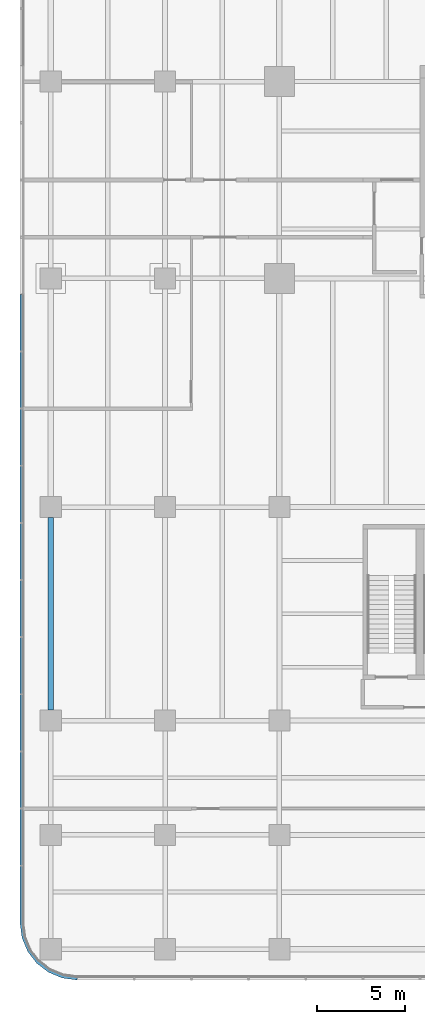
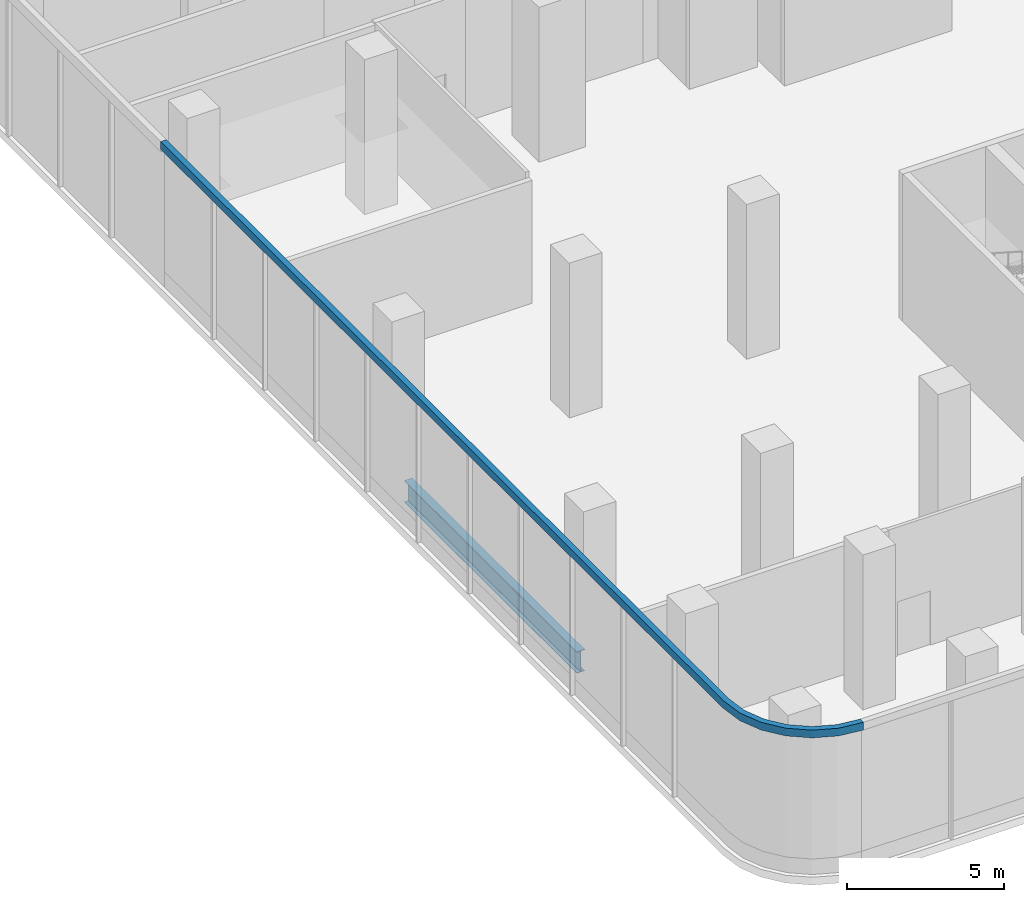
# One storey, part 5 of 41: 1 beam, 1 member, 1 element without a shape of its own.
"""IFC4 building model written with IfcOpenShell, lengths in metres."""

from ifc_helpers import new_model, si_unit, direction, frame, origin, origin_2d, place, context, subcontext, project, spatial, polyline, i_section, outline, extrude, source, transform, mapped, material, layer, layer_set, material_profile, profile_set, type_object, element, aggregate, save


model = new_model("IFC4")

# Units and contexts
model_context = context("Model", 3, precision=1e-05, world=origin(), true_north=direction((0.0, 1.0)))
body_context = subcontext(model_context, "Body", "Model", "MODEL_VIEW")
ifc_project = project(units=[si_unit("LENGTHUNIT", "METRE"), si_unit("AREAUNIT", "SQUARE_METRE"), si_unit("VOLUMEUNIT", "CUBIC_METRE"), si_unit("PLANEANGLEUNIT", "RADIAN"), si_unit("MASSUNIT", "GRAM", prefix="KILO")], contexts=[model_context])

# Site, building, storey
site_placement = place(None, origin())
site = spatial("IfcSite", under=ifc_project, at=site_placement, CompositionType="ELEMENT")
building_placement = place(site_placement, origin())
building = spatial("IfcBuilding", under=site, at=building_placement, Name="Trellis Farm Tower", CompositionType="ELEMENT")
storey_placement = place(building_placement, frame((0.0, 0.0, 8.0)))
storey = spatial("IfcBuildingStorey", under=building, at=storey_placement, Name="L01", CompositionType="ELEMENT", Elevation=8.0)

# Curtain wall, member
ifc_material_1 = material(Name="Aluminium and glass curtain wall", Category="aluminium")
ifc_layer_1 = layer(ifc_material_1, 0.201904296875)
ifc_layer_set_1 = layer_set([ifc_layer_1], Name="SHOPFRONT CURTAIN WALL CW2")
curtain_wall_type = type_object("IfcCurtainWallType", Name="SHOPFRONT CURTAIN WALL CW2", PredefinedType="NOTDEFINED", material=ifc_layer_set_1)
curtain_wall_placement = place(storey_placement, origin())
curtain_wall = element("IfcCurtainWall", 1, at=curtain_wall_placement, inside=storey, type_object=curtain_wall_type, Name="CW2 006", PredefinedType="NOTDEFINED")
ifc_material_2 = material(Name="Aluminium extrusion 6063-T6", Category="aluminium")
ifc_layer_2 = layer(ifc_material_2, 0.205078125)
ifc_layer_set_2 = layer_set([ifc_layer_2], Name="Aluminium extrusion 6063-T6")
member_type = type_object("IfcMemberType", Name="CW2 TRANSOM 205x300", PredefinedType="USERDEFINED", material=ifc_layer_set_2)
member_placement = place(storey_placement, frame((0.0, 0.0, 5.39990234375)))
member = element("IfcMember", 2, at=member_placement, type_object=member_type, Name="TR2 006", ObjectType="TRANSOM", PredefinedType="USERDEFINED", context=body_context, shape_type="SweptSolid", body=[
    extrude(outline(polyline([(-45.5, -6.5), (-45.5, -42.25), (-45.38916015625, -43.091064453125), (-45.064697265625, -43.875), (-44.548095703125, -44.548095703125), (-43.875, -45.064697265625), (-43.091064453125, -45.38916015625), (-42.25, -45.5), (-42.236572265625, -45.294921875), (-43.03759765625, -45.189453125), (-43.771728515625, -44.885498046875), (-44.40185546875, -44.40185546875), (-44.885498046875, -43.771728515625), (-45.189453125, -43.03759765625), (-45.294921875, -42.236572265625), (-45.294921875, -6.5), (-45.5, -6.5)])), origin(), (0.0, 0.0, 1.0), 0.300048828125),
])
aggregate(curtain_wall, [member])

# Beam
ifc_material_3 = material(Name="Steel S355", Category="steel")
ifc_material_profile = material_profile(ifc_material_3, i_section(OverallWidth=0.29248046875, OverallDepth=0.8408203125, WebThickness=0.0146484375, FlangeThickness=0.021728515625, FilletRadius=0.017822265625, at=origin_2d()), Name="UB 838x292x194")
ifc_profile_set = profile_set([ifc_material_profile], Name="Steel S355")
beam_type = type_object("IfcBeamType", Name="UB 838x292x194", PredefinedType="BEAM", material=ifc_profile_set)
shared_shape = source(origin(), body_context, "Body", "SweptSolid", [
    extrude(i_section(OverallWidth=0.29248046875, OverallDepth=0.8408203125, WebThickness=0.0146484375, FlangeThickness=0.021728515625, FilletRadius=0.017822265625, at=origin_2d()), origin(), (0.0, 0.0, 1.0), 10.949951171875),
])
beam_placement = place(storey_placement, frame((-43.75, -30.14990234375, -0.72021484375), z_axis=(0.0, 1.0, 0.0), x_axis=(-1.0, 0.0, 0.0)))
element("IfcBeam", 3, at=beam_placement, inside=storey, type_object=beam_type, Name="Girder", PredefinedType="BEAM", context=body_context, shape_type="MappedRepresentation", body=[
    mapped(shared_shape, transform((0.0, 0.0, 0.0))),
])

save(model, "model.ifc")
